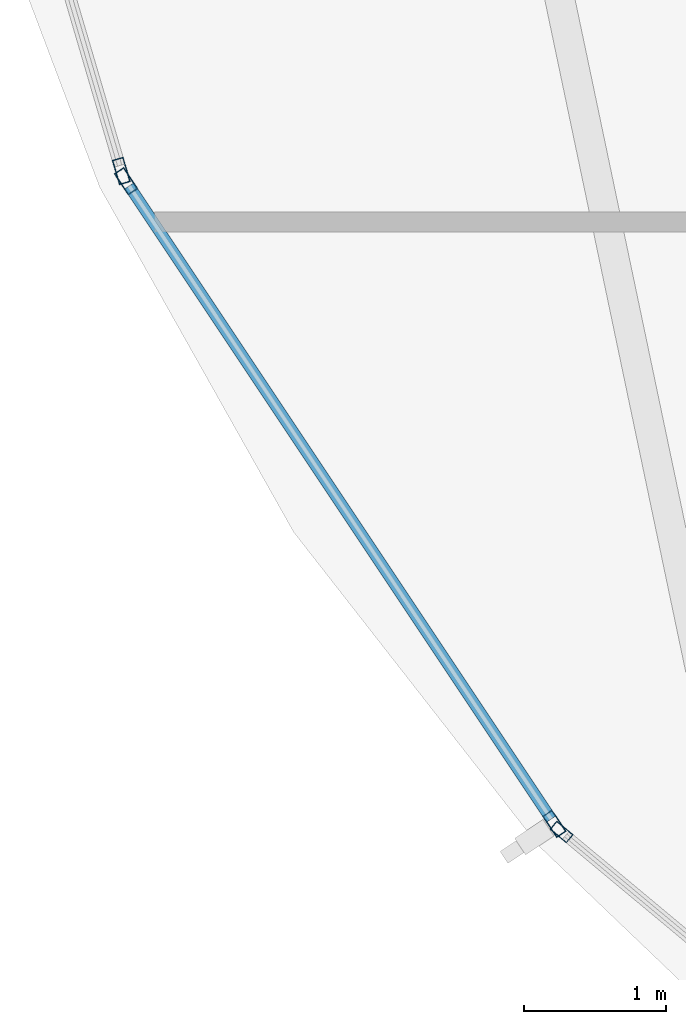
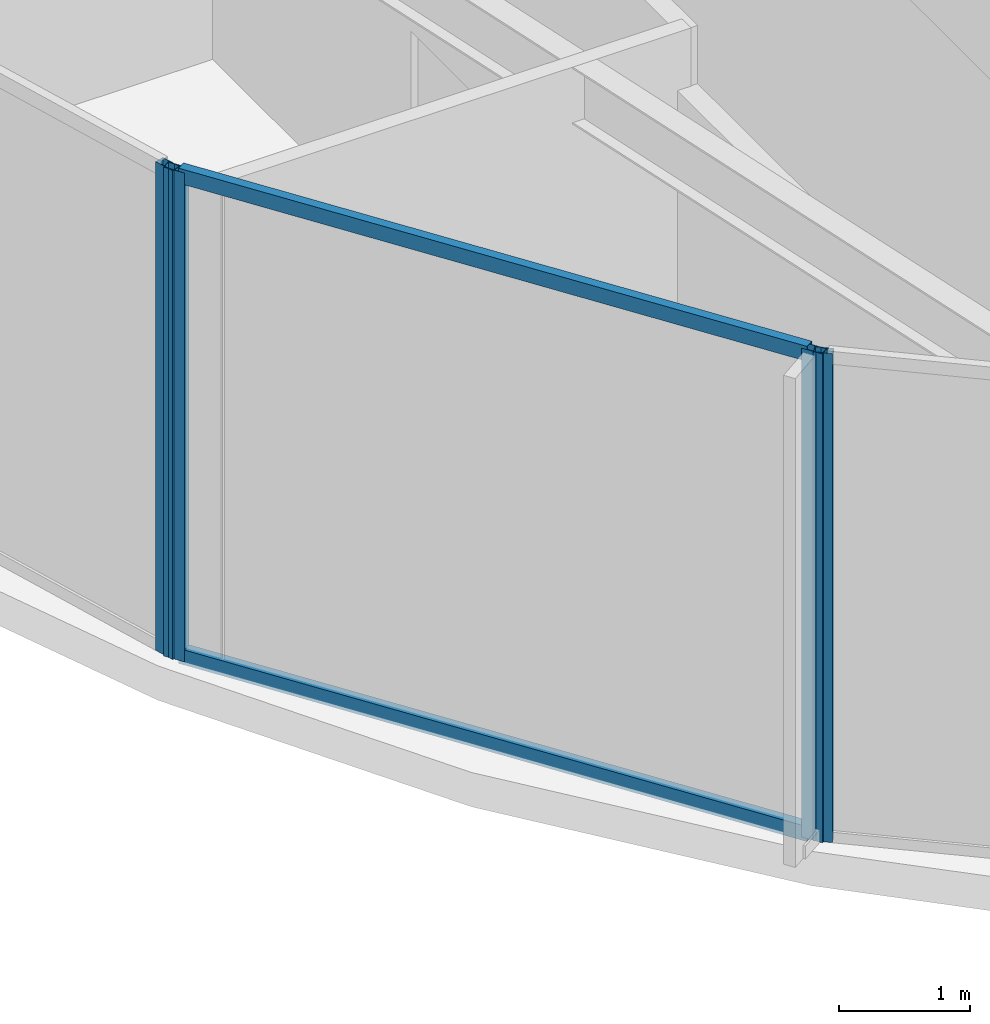
# One storey, part 3 of 28: 6 members, 3 elements without a shape of their own.
"""IFC4 building model written with IfcOpenShell, lengths in metres."""

from ifc_helpers import new_model, si_unit, direction, frame, origin, origin_2d, place, context, subcontext, project, spatial, hollow_rectangle, extrude, material, layer, layer_set, material_profile, profile_set, type_object, element, aggregate, save


model = new_model("IFC4")

# Units and contexts
model_context = context("Model", 3, precision=1e-05, world=origin(), true_north=direction((0.0, 1.0)))
body_context = subcontext(model_context, "Body", "Model", "MODEL_VIEW")
ifc_project = project(units=[si_unit("LENGTHUNIT", "METRE"), si_unit("AREAUNIT", "SQUARE_METRE"), si_unit("VOLUMEUNIT", "CUBIC_METRE"), si_unit("PLANEANGLEUNIT", "RADIAN"), si_unit("MASSUNIT", "GRAM", prefix="KILO")], contexts=[model_context])

# Site, building, storey
site_placement = place(None, origin())
site = spatial("IfcSite", under=ifc_project, at=site_placement, CompositionType="ELEMENT")
building_placement = place(site_placement, origin())
building = spatial("IfcBuilding", under=site, at=building_placement, Name="Kazevale Care Tower and Concert Hall", CompositionType="ELEMENT")
storey_placement = place(building_placement, frame((0.0, 0.0, 190.800048828125)))
storey = spatial("IfcBuildingStorey", under=building, at=storey_placement, Name="L50", CompositionType="ELEMENT", Elevation=190.800048828125)

# Curtain wall, members
ifc_material_1 = material(Name="Aluminium 6063-T6 and Low-E Glass", Category="aluminium")
ifc_layer_1 = layer(ifc_material_1, 0.179931640625)
ifc_layer_set_1 = layer_set([ifc_layer_1], Name="Aluminium 6063-T6 and Low-E Glass")
curtain_wall_type_1 = type_object("IfcCurtainWallType", Name="Waist & Upper Residential Curtain Wall CW-4", PredefinedType="NOTDEFINED", material=ifc_layer_set_1)
curtain_wall_1_placement = place(storey_placement, origin())
curtain_wall_1 = element("IfcCurtainWall", 1, at=curtain_wall_1_placement, inside=storey, type_object=curtain_wall_type_1, Name="cw:L50:f11", PredefinedType="NOTDEFINED")
ifc_material_2 = material(Name="Aluminium 6063-T6", Category="aluminium")
ifc_material_profile_1 = material_profile(ifc_material_2, hollow_rectangle(XDim=0.080078125, YDim=0.179931640625, WallThickness=0.0048828125, at=origin_2d()), Name="ALU80x180x5")
ifc_profile_set_1 = profile_set([ifc_material_profile_1], Name="Aluminium 6063-T6")
member_type_1 = type_object("IfcMemberType", Name="CW-4 Mullion ALU80x180x5", PredefinedType="MULLION", material=ifc_profile_set_1)
member_1_placement = place(storey_placement, frame((18.185791015625, 25.26318359375, 0.0), z_axis=(0.0, 0.0, 1.0), x_axis=(-0.832106058512, -0.554616540853, 0.0)))
member_1 = element("IfcMember", 2, at=member_1_placement, type_object=member_type_1, Name="CW-4 mullion 1", PredefinedType="MULLION", context=body_context, shape_type="SweptSolid", body=[
    extrude(hollow_rectangle(XDim=0.080078125, YDim=0.179931640625, WallThickness=0.0048828125, at=origin_2d()), origin(), (0.0, 0.0, 1.0), 4.56005859375),
])
member_2_placement = place(storey_placement, frame((15.170166015625, 29.78759765625, 0.0), z_axis=(0.0, 0.0, 1.0), x_axis=(-0.832106058512, -0.554616540853, 0.0)))
member_2 = element("IfcMember", 3, at=member_2_placement, type_object=member_type_1, Name="CW-4 mullion 2", PredefinedType="MULLION", context=body_context, shape_type="SweptSolid", body=[
    extrude(hollow_rectangle(XDim=0.080078125, YDim=0.179931640625, WallThickness=0.0048828125, at=origin_2d()), origin(), (0.0, 0.0, 1.0), 4.56005859375),
])

# Curtain wall, member
curtain_wall_2_placement = place(storey_placement, origin())
curtain_wall_2 = element("IfcCurtainWall", 4, at=curtain_wall_2_placement, inside=storey, type_object=curtain_wall_type_1, Name="cw:L50:f12", PredefinedType="NOTDEFINED")
member_3_placement = place(storey_placement, frame((15.13671875, 29.859375, 0.0), z_axis=(0.0, 0.0, 1.0), x_axis=(-0.959385539982, -0.282098184457, 0.0)))
member_3 = element("IfcMember", 5, at=member_3_placement, type_object=member_type_1, Name="CW-4 mullion 1", PredefinedType="MULLION", context=body_context, shape_type="SweptSolid", body=[
    extrude(hollow_rectangle(XDim=0.080078125, YDim=0.179931640625, WallThickness=0.0048828125, at=origin_2d()), origin(), (0.0, 0.0, 1.0), 4.56005859375),
])
aggregate(curtain_wall_2, [member_3])

# Member
ifc_material_profile_2 = material_profile(ifc_material_2, hollow_rectangle(XDim=0.080078125, YDim=0.139892578125, WallThickness=0.00390625, at=origin_2d()), Name="ALU80x140x4")
ifc_profile_set_2 = profile_set([ifc_material_profile_2], Name="Aluminium 6063-T6")
member_type_2 = type_object("IfcMemberType", Name="CW-4 Transom ALU80x140x4", PredefinedType="USERDEFINED", material=ifc_profile_set_2)
member_4_placement = place(storey_placement, frame((18.16357421875, 25.296630859375, 0.0400390625), z_axis=(-0.554616059735, 0.832106379187, 0.0), x_axis=(-0.832106379187, -0.554616059735, 0.0)))
member_4 = element("IfcMember", 6, at=member_4_placement, type_object=member_type_2, Name="CW-4 transom 1.1", ObjectType="TRANSOM", PredefinedType="USERDEFINED", context=body_context, shape_type="SweptSolid", body=[
    extrude(hollow_rectangle(XDim=0.080078125, YDim=0.139892578125, WallThickness=0.00390625, at=origin_2d()), origin(), (0.0, 0.0, 1.0), 5.357177734375),
])

member_5_placement = place(storey_placement, frame((18.16357421875, 25.296630859375, 4.52001953125), z_axis=(-0.554616059735, 0.832106379187, 0.0), x_axis=(-0.832106379187, -0.554616059735, 0.0)))
member_5 = element("IfcMember", 7, at=member_5_placement, type_object=member_type_2, Name="CW-4 transom 1.2", ObjectType="TRANSOM", PredefinedType="USERDEFINED", context=body_context, shape_type="SweptSolid", body=[
    extrude(hollow_rectangle(XDim=0.080078125, YDim=0.139892578125, WallThickness=0.00390625, at=origin_2d()), origin(), (0.0, 0.0, 1.0), 5.357177734375),
])

aggregate(curtain_wall_1, [member_1, member_2, member_4, member_5])

# Curtain wall, member
ifc_layer_2 = layer(ifc_material_1, 0.179931640625)
ifc_layer_set_2 = layer_set([ifc_layer_2], Name="Aluminium 6063-T6 and Low-E Glass")
curtain_wall_type_2 = type_object("IfcCurtainWallType", Name="Sheltered Concave Balcony Curtain Wall CW-5", PredefinedType="NOTDEFINED", material=ifc_layer_set_2)
curtain_wall_3_placement = place(storey_placement, origin())
curtain_wall_3 = element("IfcCurtainWall", 8, at=curtain_wall_3_placement, inside=storey, type_object=curtain_wall_type_2, Name="cw:L50:f10", PredefinedType="NOTDEFINED")
ifc_material_profile_3 = material_profile(ifc_material_2, hollow_rectangle(XDim=0.074951171875, YDim=0.14990234375, WallThickness=0.00390625, at=origin_2d()), Name="ALU75x150x4")
ifc_profile_set_3 = profile_set([ifc_material_profile_3], Name="Aluminium 6063-T6")
member_type_3 = type_object("IfcMemberType", Name="CW-5 Mullion ALU75x150x4", PredefinedType="MULLION", material=ifc_profile_set_3)
member_6_placement = place(storey_placement, frame((18.23681640625, 25.2060546875, 0.0), z_axis=(0.0, 0.0, 1.0), x_axis=(-0.639961217204, -0.768407210062, 0.0)))
member_6 = element("IfcMember", 9, at=member_6_placement, type_object=member_type_3, Name="CW-5 mullion 2", PredefinedType="MULLION", context=body_context, shape_type="SweptSolid", body=[
    extrude(hollow_rectangle(XDim=0.074951171875, YDim=0.14990234375, WallThickness=0.00390625, at=origin_2d()), origin(), (0.0, 0.0, 1.0), 4.56005859375),
])
aggregate(curtain_wall_3, [member_6])

save(model, "model.ifc")
